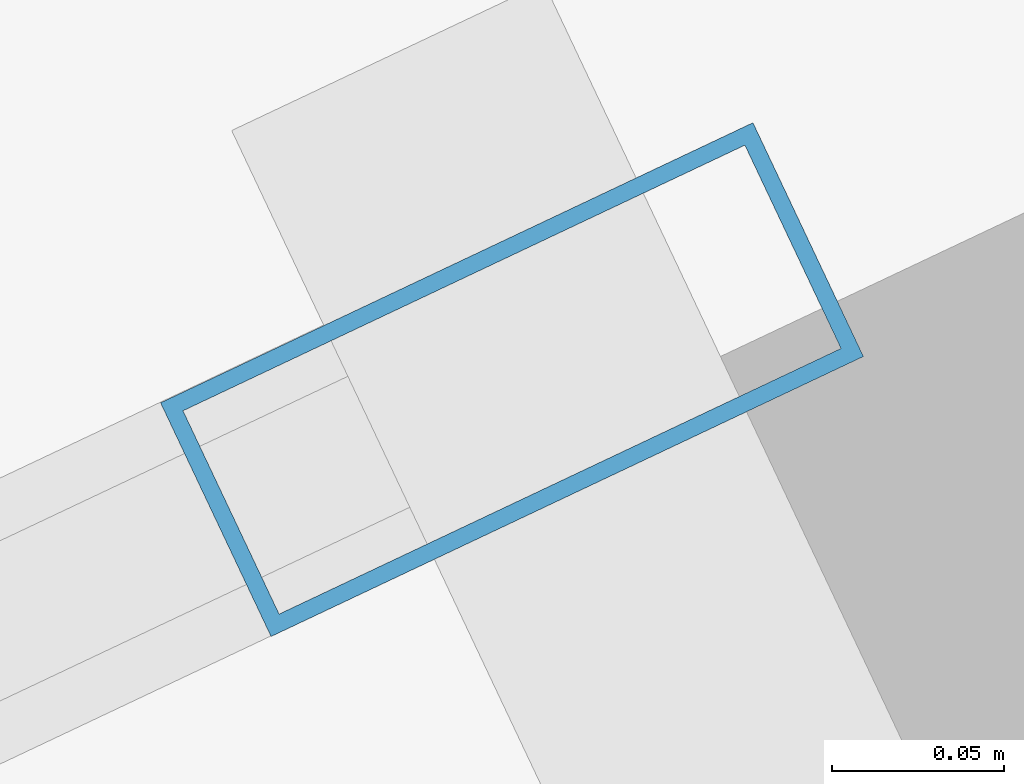
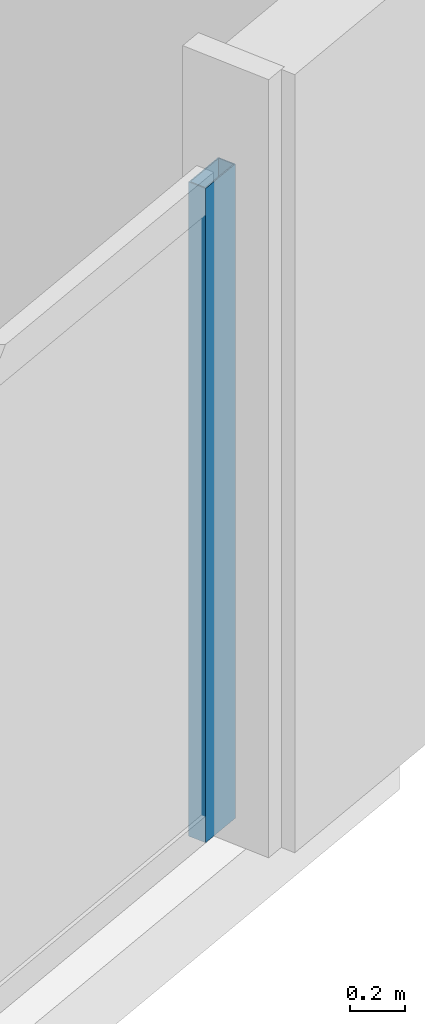
# One storey, part 11 of 34: 1 member, 1 element without a shape of its own.
"""IFC4 building model written with IfcOpenShell, lengths in metres."""

from ifc_helpers import new_model, si_unit, direction, frame, origin, origin_2d, place, context, subcontext, project, spatial, hollow_rectangle, extrude, material, material_profile, profile_set, type_object, element, aggregate, save


model = new_model("IFC4")

# Units and contexts
model_context = context("Model", 3, precision=1e-05, world=origin(), true_north=direction((0.0, 1.0)))
body_context = subcontext(model_context, "Body", "Model", "MODEL_VIEW")
ifc_project = project(units=[si_unit("LENGTHUNIT", "METRE"), si_unit("AREAUNIT", "SQUARE_METRE"), si_unit("VOLUMEUNIT", "CUBIC_METRE"), si_unit("PLANEANGLEUNIT", "RADIAN"), si_unit("MASSUNIT", "GRAM", prefix="KILO")], contexts=[model_context])

# Site, building, storey
site_placement = place(None, origin())
site = spatial("IfcSite", under=ifc_project, at=site_placement, CompositionType="ELEMENT")
building_placement = place(site_placement, origin())
building = spatial("IfcBuilding", under=site, at=building_placement, Name="Haldenkirk Collegiate Tower", CompositionType="ELEMENT")
storey_placement = place(building_placement, frame((0.0, 0.0, 112.949951171875)))
storey = spatial("IfcBuildingStorey", under=building, at=storey_placement, Name="L27", CompositionType="ELEMENT", Elevation=112.949951171875)

# Curtain wall, member
ifc_material = material(Name="Anodised architectural bronze aluminium", Category="aluminium")
curtain_wall_type = type_object("IfcCurtainWallType", Name="CW-SYS2-CONCAVE", PredefinedType="USERDEFINED", material=ifc_material)
curtain_wall_placement = place(storey_placement, origin())
curtain_wall = element("IfcCurtainWall", 1, at=curtain_wall_placement, inside=storey, type_object=curtain_wall_type, Name="L27 South concave recessed bronze-anodised curtain wall", ObjectType="UNITISED CURTAIN WALL", PredefinedType="USERDEFINED")
ifc_material_profile = material_profile(ifc_material, hollow_rectangle(XDim=0.074951171875, YDim=0.18994140625, WallThickness=0.0048828125, at=origin_2d()), Name="CW-MUL-02")
ifc_profile_set = profile_set([ifc_material_profile], Name="Anodised architectural bronze aluminium")
member_type = type_object("IfcMemberType", Name="CW-MUL-02", PredefinedType="MULLION", material=ifc_profile_set)
member_placement = place(storey_placement, frame((65.04443359375, 13.0224609375, 0.0), z_axis=(0.0, 0.0, 1.0), x_axis=(0.42735906226, -0.904081982955, 0.0)))
member = element("IfcMember", 2, at=member_placement, type_object=member_type, Name="CW-02 mullion 1", PredefinedType="MULLION", context=body_context, shape_type="SweptSolid", body=[
    extrude(hollow_rectangle(XDim=0.074951171875, YDim=0.18994140625, WallThickness=0.0048828125, at=origin_2d()), origin(), (0.0, 0.0, 1.0), 2.901123046875),
])
aggregate(curtain_wall, [member])

save(model, "model.ifc")
